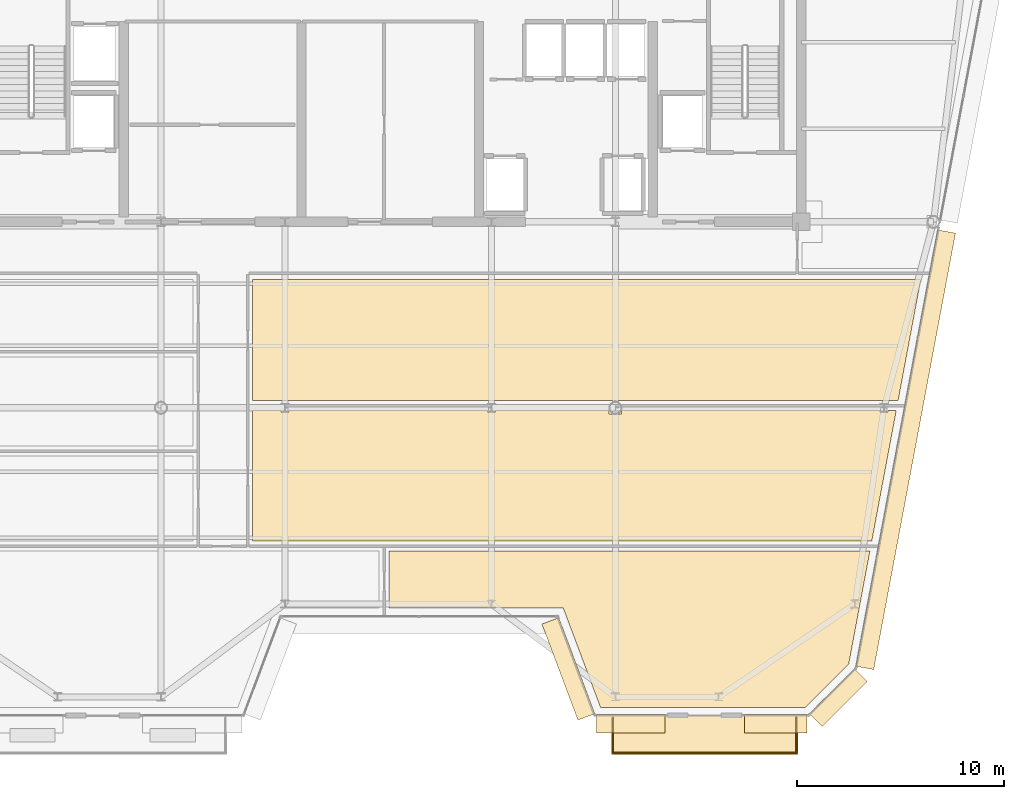
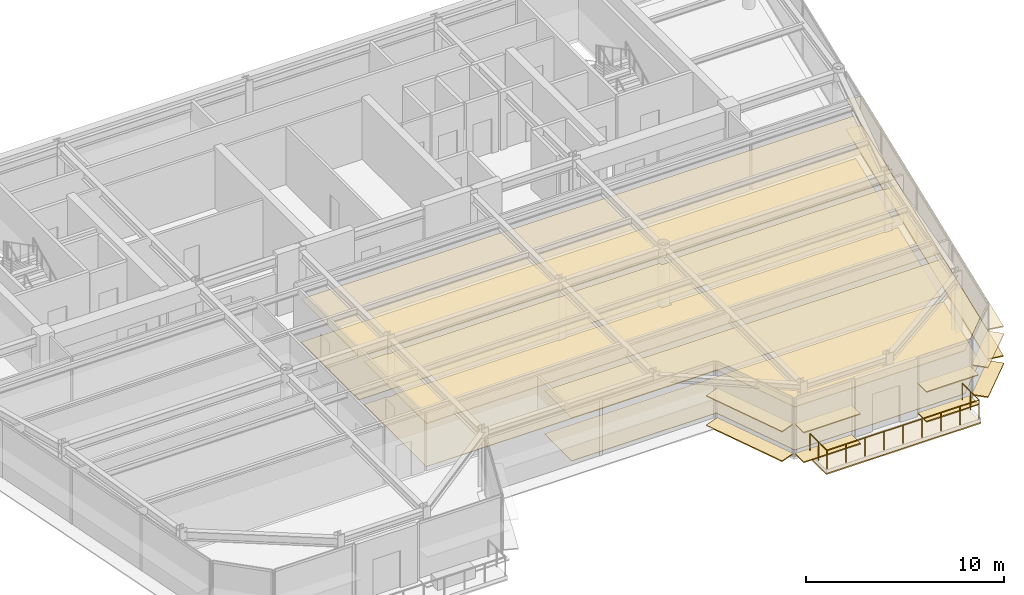
# One storey, part 16 of 20: 17 coverings, 1 railing.
"""IFC4 building model written with IfcOpenShell, lengths in metres."""

from ifc_helpers import new_model, si_unit, direction, frame, origin, origin_2d, place, context, subcontext, project, spatial, polyline, rectangle, circle, outline, extrude, source, transform, mapped, material, layer, layer_set, type_object, element, save


model = new_model("IFC4")

# Units and contexts
model_context = context("Model", 3, precision=1e-05, world=origin(), true_north=direction((0.0, 1.0)))
body_context = subcontext(model_context, "Body", "Model", "MODEL_VIEW")
ifc_project = project(units=[si_unit("LENGTHUNIT", "METRE"), si_unit("AREAUNIT", "SQUARE_METRE"), si_unit("VOLUMEUNIT", "CUBIC_METRE"), si_unit("PLANEANGLEUNIT", "RADIAN"), si_unit("MASSUNIT", "GRAM", prefix="KILO")], contexts=[model_context])

# Site, building, storey
site_placement = place(None, origin())
site = spatial("IfcSite", under=ifc_project, at=site_placement, CompositionType="ELEMENT")
building_placement = place(site_placement, origin())
building = spatial("IfcBuilding", under=site, at=building_placement, Name="Vaeldorn Concourse Tower", CompositionType="ELEMENT")
storey_placement = place(building_placement, frame((0.0, 0.0, 268.800048828125)))
storey = spatial("IfcBuildingStorey", under=building, at=storey_placement, Name="L69", CompositionType="ELEMENT", Elevation=268.800048828125)

# Coverings
ifc_material_1 = material(Name="Acoustic Mineral Fibre Board", Category="gypsum")
ifc_layer_1 = layer(ifc_material_1, 0.0400390625)
ifc_layer_set_1 = layer_set([ifc_layer_1], Name="Acoustic Mineral Fibre Board")
covering_type_1 = type_object("IfcCoveringType", Name="COV-CEIL-ACOUSTIC", PredefinedType="CEILING", material=ifc_layer_set_1)
covering_1_placement = place(storey_placement, frame((0.0, 0.0, 2.64990234375)))
element("IfcCovering", 1, at=covering_1_placement, inside=storey, type_object=covering_type_1, Name="Suspended Acoustic Ceiling L69-8", PredefinedType="CEILING", context=body_context, shape_type="SweptSolid", body=[
    extrude(outline(polyline([(57.407958984375, 21.0400390625), (27.43994140625, 21.0400390625), (27.43994140625, 27.360107421875), (28.801025390625, 27.360107421875), (28.801025390625, 27.306396484375), (29.198974609375, 27.306396484375), (29.198974609375, 27.360107421875), (38.801025390625, 27.360107421875), (38.801025390625, 27.306396484375), (39.198974609375, 27.306396484375), (39.198974609375, 27.360107421875), (44.695068359375, 27.360107421875), (44.695068359375, 27.195068359375), (45.304931640625, 27.195068359375), (45.304931640625, 27.360107421875), (57.799560546875, 27.360107421875), (57.799560546875, 27.300537109375), (58.200439453125, 27.300537109375), (58.200439453125, 27.360107421875), (58.5927734375, 27.360107421875), (57.407958984375, 21.0400390625)])), origin(), (0.0, 0.0, 1.0), 0.0400390625),
])
covering_2_placement = place(storey_placement, frame((0.0, 0.0, 2.64990234375)))
element("IfcCovering", 2, at=covering_2_placement, inside=storey, type_object=covering_type_1, Name="Suspended Acoustic Ceiling L69-9", PredefinedType="CEILING", context=body_context, shape_type="SweptSolid", body=[
    extrude(outline(polyline([(27.43994140625, 33.699951171875), (59.78125, 33.699951171875), (58.6826171875, 27.840087890625), (27.43994140625, 27.840087890625), (27.43994140625, 33.699951171875)])), origin(), (0.0, 0.0, 1.0), 0.0400390625),
])
covering_3_placement = place(storey_placement, frame((0.0, 0.0, 2.64990234375)))
element("IfcCovering", 3, at=covering_3_placement, inside=storey, type_object=covering_type_1, Name="Suspended Acoustic Ceiling L69-11", PredefinedType="CEILING", context=body_context, shape_type="SweptSolid", body=[
    extrude(outline(polyline([(34.0400390625, 20.56005859375), (57.318115234375, 20.56005859375), (56.4521484375, 15.941162109375), (56.4521484375, 15.941162109375), (56.293701171875, 15.09521484375), (54.1982421875, 13.0), (44.277099609375, 13.0), (42.477294921875, 17.800048828125), (34.0400390625, 17.800048828125), (34.0400390625, 20.56005859375)])), origin(), (0.0, 0.0, 1.0), 0.0400390625),
])
ifc_material_2 = material(Name="Honed Limestone Terrazzo Flooring", Category="masonry")
ifc_layer_2 = layer(ifc_material_2, 0.0400390625)
ifc_layer_set_2 = layer_set([ifc_layer_2], Name="Honed Limestone Terrazzo Flooring")
covering_type_2 = type_object("IfcCoveringType", Name="COV-FLOOR-STONE", PredefinedType="FLOORING", material=ifc_layer_set_2)
covering_4_placement = place(storey_placement, origin())
element("IfcCovering", 4, at=covering_4_placement, inside=storey, type_object=covering_type_2, Name="Floor Finish Covering L69-8", PredefinedType="FLOORING", context=body_context, shape_type="SweptSolid", body=[
    extrude(outline(polyline([(57.407958984375, 21.0400390625), (27.43994140625, 21.0400390625), (27.43994140625, 27.360107421875), (28.801025390625, 27.360107421875), (28.801025390625, 27.306396484375), (29.198974609375, 27.306396484375), (29.198974609375, 27.360107421875), (38.801025390625, 27.360107421875), (38.801025390625, 27.306396484375), (39.198974609375, 27.306396484375), (39.198974609375, 27.360107421875), (44.695068359375, 27.360107421875), (44.695068359375, 27.195068359375), (45.304931640625, 27.195068359375), (45.304931640625, 27.360107421875), (57.799560546875, 27.360107421875), (57.799560546875, 27.300537109375), (58.200439453125, 27.300537109375), (58.200439453125, 27.360107421875), (58.5927734375, 27.360107421875), (57.407958984375, 21.0400390625)])), origin(), (0.0, 0.0, 1.0), 0.030029296875),
])
covering_5_placement = place(storey_placement, origin())
element("IfcCovering", 5, at=covering_5_placement, inside=storey, type_object=covering_type_2, Name="Floor Finish Covering L69-9", PredefinedType="FLOORING", context=body_context, shape_type="SweptSolid", body=[
    extrude(outline(polyline([(27.43994140625, 33.699951171875), (59.78125, 33.699951171875), (58.6826171875, 27.840087890625), (27.43994140625, 27.840087890625), (27.43994140625, 33.699951171875)])), origin(), (0.0, 0.0, 1.0), 0.030029296875),
])
covering_6_placement = place(storey_placement, origin())
element("IfcCovering", 6, at=covering_6_placement, inside=storey, type_object=covering_type_2, Name="Floor Finish Covering L69-11", PredefinedType="FLOORING", context=body_context, shape_type="SweptSolid", body=[
    extrude(outline(polyline([(34.0400390625, 20.56005859375), (57.318115234375, 20.56005859375), (56.4521484375, 15.941162109375), (56.4521484375, 15.941162109375), (56.293701171875, 15.09521484375), (54.1982421875, 13.0), (44.277099609375, 13.0), (42.477294921875, 17.800048828125), (34.0400390625, 17.800048828125), (34.0400390625, 20.56005859375)])), origin(), (0.0, 0.0, 1.0), 0.030029296875),
])
ifc_material_3 = material(Name="EPDM Waterproof Membrane and Insulation", Category="plastic")
ifc_layer_3 = layer(ifc_material_3, 0.080078125)
ifc_layer_set_3 = layer_set([ifc_layer_3], Name="EPDM Waterproof Membrane and Insulation")
covering_type_3 = type_object("IfcCoveringType", Name="COV-ROOFING-EPDM", PredefinedType="ROOFING", material=ifc_layer_set_3)
covering_7_placement = place(storey_placement, frame((0.0, 0.0, -0.300048828125)))
element("IfcCovering", 7, at=covering_7_placement, inside=storey, type_object=covering_type_3, Name="Sky Garden Waterproofing Membrane L69-2", PredefinedType="ROOFING", context=body_context, shape_type="SweptSolid", body=[
    extrude(outline(polyline([(44.800048828125, 10.719970703125), (53.833984375, 10.719970703125), (53.833984375, 12.580078125), (44.800048828125, 12.580078125), (44.800048828125, 10.719970703125)])), origin(), (0.0, 0.0, 1.0), 0.080078125),
])

# Railing
ifc_material_4 = material(Name="Anodised Bronze Aluminium", Category="aluminium")
railing_type = type_object("IfcRailingType", Name="RL-BALUSTRADE-1150", PredefinedType="BALUSTRADE", material=ifc_material_4)
railing_placement = place(storey_placement, frame((44.8798828125, 12.5, 0.0)))
element("IfcRailing", 8, at=railing_placement, inside=storey, type_object=railing_type, Name="Sawtooth Sky Garden Balustrade L69-2", PredefinedType="BALUSTRADE", context=body_context, shape_type="SweptSolid", body=[
    extrude(circle(Radius=0.02392578125, at=origin_2d()), frame((0.0, 0.0, 1.1259765625), z_axis=(0.0, -1.0, 0.0), x_axis=(1.0, 0.0, 0.0)), (0.0, 0.0, 1.0), 1.699951171875),
    extrude(circle(Radius=0.02392578125, at=origin_2d()), frame((0.0, -1.699951171875, 1.1259765625), z_axis=(1.0, 0.0, 0.0), x_axis=(0.0, 1.0, 0.0)), (0.0, 0.0, 1.0), 8.8740234375),
    extrude(circle(Radius=0.02392578125, at=origin_2d()), frame((8.8740234375, -1.699951171875, 1.1259765625), z_axis=(0.0, 1.0, 0.0), x_axis=(-1.0, 0.0, 0.0)), (0.0, 0.0, 1.0), 1.699951171875),
    extrude(circle(Radius=0.02099609375, at=origin_2d()), origin(), (0.0, 0.0, 1.0), 1.101806640625),
    extrude(circle(Radius=0.02099609375, at=origin_2d()), frame((0.0, -0.85009765625, 0.0)), (0.0, 0.0, 1.0), 1.101806640625),
    extrude(circle(Radius=0.02099609375, at=origin_2d()), frame((0.0, -1.699951171875, 0.0)), (0.0, 0.0, 1.0), 1.101806640625),
    extrude(circle(Radius=0.02099609375, at=origin_2d()), frame((1.109375, -1.699951171875, 0.0)), (0.0, 0.0, 1.0), 1.101806640625),
    extrude(circle(Radius=0.02099609375, at=origin_2d()), frame((2.218505859375, -1.699951171875, 0.0)), (0.0, 0.0, 1.0), 1.101806640625),
    extrude(circle(Radius=0.02099609375, at=origin_2d()), frame((3.32763671875, -1.699951171875, 0.0)), (0.0, 0.0, 1.0), 1.101806640625),
    extrude(circle(Radius=0.02099609375, at=origin_2d()), frame((4.43701171875, -1.699951171875, 0.0)), (0.0, 0.0, 1.0), 1.101806640625),
    extrude(circle(Radius=0.02099609375, at=origin_2d()), frame((5.54638671875, -1.699951171875, 0.0)), (0.0, 0.0, 1.0), 1.101806640625),
    extrude(circle(Radius=0.02099609375, at=origin_2d()), frame((6.655517578125, -1.699951171875, 0.0)), (0.0, 0.0, 1.0), 1.101806640625),
    extrude(circle(Radius=0.02099609375, at=origin_2d()), frame((7.7646484375, -1.699951171875, 0.0)), (0.0, 0.0, 1.0), 1.101806640625),
    extrude(circle(Radius=0.02099609375, at=origin_2d()), frame((8.8740234375, -1.699951171875, 0.0)), (0.0, 0.0, 1.0), 1.101806640625),
    extrude(circle(Radius=0.02099609375, at=origin_2d()), frame((8.8740234375, -0.85009765625, 0.0)), (0.0, 0.0, 1.0), 1.101806640625),
    extrude(circle(Radius=0.02099609375, at=origin_2d()), frame((8.8740234375, 0.0, 0.0)), (0.0, 0.0, 1.0), 1.101806640625),
])

# Coverings
ifc_layer_4 = layer(ifc_material_4, 0.06494140625)
ifc_layer_set_4 = layer_set([ifc_layer_4], Name="Anodised Bronze Aluminium")
covering_type_4 = type_object("IfcCoveringType", Name="SD-BRONZE-SUNSHADE", PredefinedType="USERDEFINED", material=ifc_layer_set_4)
shared_shape_1 = source(origin(), body_context, "Body", "SweptSolid", [
    extrude(rectangle(XDim=4.96630859375, YDim=0.8798828125, at=origin_2d()), origin(), (0.0, 0.0, 1.0), 0.06494140625),
])
for number, where, z_axis, x_axis, name in (
    (9, (42.7255859375, 14.859619140625, 0.04736328125), (0.0, 0.0, 1.0), (0.351122702609, -0.936329454686, 0.0), "Horizontal Bronze Sunshade L69-E04.1.1"),
    (10, (42.7255859375, 14.859619140625, 1.867431640625), (0.0, 0.0, 1.0), (0.351122702609, -0.936329454686, 0.0), "Horizontal Bronze Sunshade L69-E04.1.2"),
):
    element("IfcCovering", number, at=place(storey_placement, frame(where, z_axis=z_axis, x_axis=x_axis)), inside=storey, type_object=covering_type_4, Name=name, ObjectType="SUNSHADE", PredefinedType="USERDEFINED", context=body_context, shape_type="MappedRepresentation", body=[
        mapped(shared_shape_1, transform((0.0, 0.0, 0.0), scale=1.0)),
    ])
shared_shape_2 = source(origin(), body_context, "Body", "SweptSolid", [
    extrude(rectangle(XDim=3.0927734375, YDim=0.8798828125, at=origin_2d()), origin(), (0.0, 0.0, 1.0), 0.06494140625),
])
for number, where, z_axis, x_axis, name in (
    (11, (55.796875, 13.46728515625, 0.04736328125), (0.0, 0.0, 1.0), (0.707106781187, 0.707106781187, 0.0), "Horizontal Bronze Sunshade L69-E06.1.1"),
    (12, (55.796875, 13.46728515625, 1.867431640625), (0.0, 0.0, 1.0), (0.707106781187, 0.707106781187, 0.0), "Horizontal Bronze Sunshade L69-E06.1.2"),
):
    element("IfcCovering", number, at=place(storey_placement, frame(where, z_axis=z_axis, x_axis=x_axis)), inside=storey, type_object=covering_type_4, Name=name, ObjectType="SUNSHADE", PredefinedType="USERDEFINED", context=body_context, shape_type="MappedRepresentation", body=[
        mapped(shared_shape_2, transform((0.0, 0.0, 0.0), scale=1.0)),
    ])
shared_shape_3 = source(origin(), body_context, "Body", "SweptSolid", [
    extrude(rectangle(XDim=3.320068359375, YDim=0.8798828125, at=origin_2d()), origin(), (0.0, 0.0, 1.0), 0.06494140625),
])
for number, where, z_axis, x_axis, name in (
    (13, (45.739990234375, 12.199951171875, 0.04736328125), (0.0, 0.0, 1.0), (1.0, 0.0, 0.0), "Horizontal Bronze Sunshade L69-E05.1.1"),
    (14, (45.739990234375, 12.199951171875, 1.867431640625), (0.0, 0.0, 1.0), (1.0, 0.0, 0.0), "Horizontal Bronze Sunshade L69-E05.1.2"),
):
    element("IfcCovering", number, at=place(storey_placement, frame(where, z_axis=z_axis, x_axis=x_axis)), inside=storey, type_object=covering_type_4, Name=name, ObjectType="SUNSHADE", PredefinedType="USERDEFINED", context=body_context, shape_type="MappedRepresentation", body=[
        mapped(shared_shape_3, transform((0.0, 0.0, 0.0), scale=1.0)),
    ])
shared_shape_4 = source(origin(), body_context, "Body", "SweptSolid", [
    extrude(rectangle(XDim=3.0439453125, YDim=0.8798828125, at=origin_2d()), origin(), (0.0, 0.0, 1.0), 0.06494140625),
])
for number, where, z_axis, x_axis, name in (
    (15, (52.761962890625, 12.199951171875, 0.04736328125), (0.0, 0.0, 1.0), (1.0, 0.0, 0.0), "Horizontal Bronze Sunshade L69-E05.2.1"),
    (16, (52.761962890625, 12.199951171875, 1.867431640625), (0.0, 0.0, 1.0), (1.0, 0.0, 0.0), "Horizontal Bronze Sunshade L69-E05.2.2"),
):
    element("IfcCovering", number, at=place(storey_placement, frame(where, z_axis=z_axis, x_axis=x_axis)), inside=storey, type_object=covering_type_4, Name=name, ObjectType="SUNSHADE", PredefinedType="USERDEFINED", context=body_context, shape_type="MappedRepresentation", body=[
        mapped(shared_shape_4, transform((0.0, 0.0, 0.0), scale=1.0)),
    ])
shared_shape_5 = source(origin(), body_context, "Body", "SweptSolid", [
    extrude(rectangle(XDim=21.49560546875, YDim=0.8798828125, at=origin_2d()), origin(), (0.0, 0.0, 1.0), 0.06494140625),
])
for number, where, z_axis, x_axis, name in (
    (17, (59.05224609375, 25.46875, 0.04736328125), (0.0, 0.0, 1.0), (0.1842429853, 0.98288072642, 0.0), "Horizontal Bronze Sunshade L69-E07.1.1"),
    (18, (59.05224609375, 25.46875, 1.867431640625), (0.0, 0.0, 1.0), (0.1842429853, 0.98288072642, 0.0), "Horizontal Bronze Sunshade L69-E07.1.2"),
):
    element("IfcCovering", number, at=place(storey_placement, frame(where, z_axis=z_axis, x_axis=x_axis)), inside=storey, type_object=covering_type_4, Name=name, ObjectType="SUNSHADE", PredefinedType="USERDEFINED", context=body_context, shape_type="MappedRepresentation", body=[
        mapped(shared_shape_5, transform((0.0, 0.0, 0.0), scale=1.0)),
    ])

save(model, "model.ifc")
